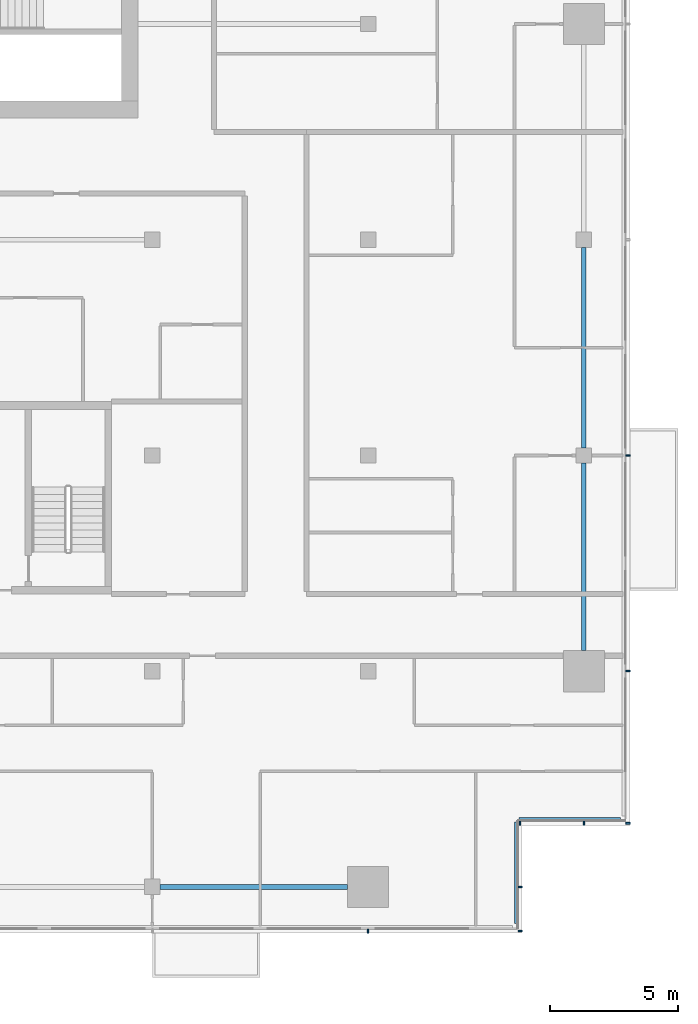
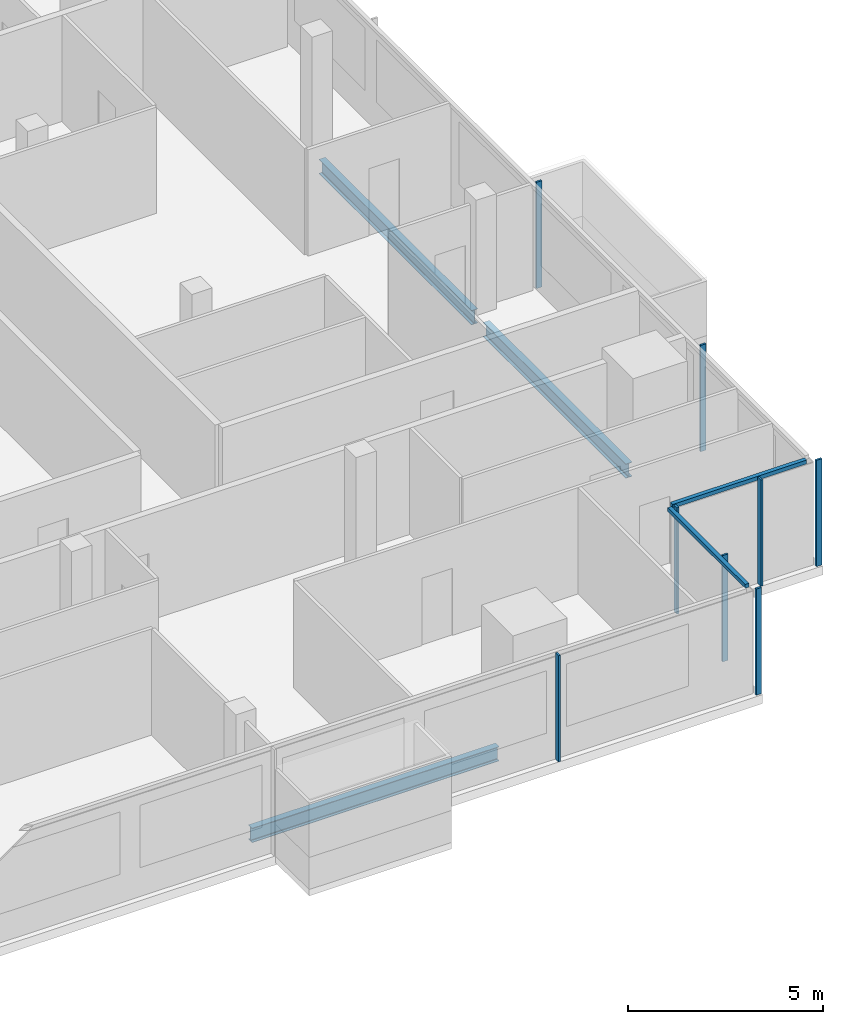
# One storey, part 11 of 29: 10 members, 3 beams, 4 elements without a shape of their own.
"""IFC4 building model written with IfcOpenShell, lengths in metres."""

from ifc_helpers import new_model, si_unit, direction, frame, origin, origin_2d, place, context, subcontext, project, spatial, rectangle, i_section, extrude, material, material_profile, profile_set, type_object, element, aggregate, save


model = new_model("IFC4")

# Units and contexts
model_context = context("Model", 3, precision=1e-05, world=origin(), true_north=direction((0.0, 1.0)))
body_context = subcontext(model_context, "Body", "Model", "MODEL_VIEW")
ifc_project = project(units=[si_unit("LENGTHUNIT", "METRE"), si_unit("AREAUNIT", "SQUARE_METRE"), si_unit("VOLUMEUNIT", "CUBIC_METRE"), si_unit("PLANEANGLEUNIT", "RADIAN"), si_unit("MASSUNIT", "GRAM", prefix="KILO")], contexts=[model_context])

# Site, building, storey
site_placement = place(None, origin())
site = spatial("IfcSite", under=ifc_project, at=site_placement, CompositionType="ELEMENT")
building_placement = place(site_placement, origin())
building = spatial("IfcBuilding", under=site, at=building_placement, Name="Saffron Gate Tower", CompositionType="ELEMENT")
storey_placement = place(building_placement, frame((0.0, 0.0, 227.10009765625)))
storey = spatial("IfcBuildingStorey", under=building, at=storey_placement, Name="L55", CompositionType="ELEMENT", Elevation=227.10009765625)

# Beams
ifc_material_1 = material(Name="Structural steel S355", Category="steel")
ifc_material_profile_1 = material_profile(ifc_material_1, i_section(OverallWidth=0.18994140625, OverallDepth=0.449951171875, WebThickness=0.009521484375, FlangeThickness=0.0146484375, FilletRadius=0.02099609375, at=origin_2d()))
ifc_profile_set_1 = profile_set([ifc_material_profile_1], Name="Structural steel S355")
beam_type = type_object("IfcBeamType", Name="B7 IPE 450", PredefinedType="SPANDREL", material=ifc_profile_set_1)
for number, where, z_axis, x_axis, name in (
    (1, (108.89990234375, 31.800048828125, -0.505126953125), (1.0, 0.0, 0.0), (0.0, 1.0, 0.0), "B7 SPANDREL BEAM"),
    (2, (125.39990234375, 41.0, -0.505126953125), (0.0, 1.0, 0.0), (-1.0, 0.0, 0.0), "B7 SPANDREL BEAM"),
):
    element("IfcBeam", number, at=place(storey_placement, frame(where, z_axis=z_axis, x_axis=x_axis)), inside=storey, type_object=beam_type, Name=name, PredefinedType="SPANDREL", context=body_context, shape_type="SweptSolid", body=[
        extrude(i_section(OverallWidth=0.18994140625, OverallDepth=0.449951171875, WebThickness=0.009521484375, FlangeThickness=0.0146484375, FilletRadius=0.02099609375, at=origin_2d()), origin(), (0.0, 0.0, 1.0), 7.300048828125),
    ])
beam_placement = place(storey_placement, frame((125.39990234375, 48.89990234375, -0.505126953125), z_axis=(0.0, 1.0, 0.0), x_axis=(-1.0, 0.0, 0.0)))
element("IfcBeam", 3, at=beam_placement, inside=storey, type_object=beam_type, Name="B7 SPANDREL BEAM", PredefinedType="SPANDREL", context=body_context, shape_type="SweptSolid", body=[
    extrude(i_section(OverallWidth=0.18994140625, OverallDepth=0.449951171875, WebThickness=0.009521484375, FlangeThickness=0.0146484375, FilletRadius=0.02099609375, at=origin_2d()), origin(), (0.0, 0.0, 1.0), 7.800048828125),
])

# Curtain wall, member
ifc_material_2 = material(Name="Aluminium, bronze anodised", Category="aluminium")
curtain_wall_type_1 = type_object("IfcCurtainWallType", Name="CWS1 curtain wall front facade", PredefinedType="NOTDEFINED", material=ifc_material_2)
curtain_wall_1_placement = place(storey_placement, origin())
curtain_wall_1 = element("IfcCurtainWall", 4, at=curtain_wall_1_placement, inside=storey, type_object=curtain_wall_type_1, Name="CWS1 run 1", PredefinedType="NOTDEFINED")
ifc_material_profile_2 = material_profile(ifc_material_2, rectangle(XDim=0.159912109375, YDim=0.06005859375, at=origin_2d()))
ifc_profile_set_2 = profile_set([ifc_material_profile_2], Name="Aluminium, bronze anodised")
member_type_1 = type_object("IfcMemberType", Name="CWS1 mullion 60x160", PredefinedType="MULLION", material=ifc_profile_set_2)
member_1_placement = place(storey_placement, frame((117.0, 30.080078125, 0.0), z_axis=(0.0, 0.0, 1.0), x_axis=(0.0, 1.0, 0.0)))
member_1 = element("IfcMember", 5, at=member_1_placement, type_object=member_type_1, Name="CWS1 mullion 9", PredefinedType="MULLION", context=body_context, shape_type="SweptSolid", body=[
    extrude(rectangle(XDim=0.159912109375, YDim=0.06005859375, at=origin_2d()), origin(), (0.0, 0.0, 1.0), 3.31982421875),
])
aggregate(curtain_wall_1, [member_1])

# Curtain wall, members
curtain_wall_type_2 = type_object("IfcCurtainWallType", Name="CWS2 curtain wall side facades", PredefinedType="NOTDEFINED", material=ifc_material_2)
curtain_wall_2_placement = place(storey_placement, origin())
curtain_wall_2 = element("IfcCurtainWall", 6, at=curtain_wall_2_placement, inside=storey, type_object=curtain_wall_type_2, Name="CWS2 run 4", PredefinedType="NOTDEFINED")
ifc_material_profile_3 = material_profile(ifc_material_2, rectangle(XDim=0.159912109375, YDim=0.06005859375, at=origin_2d()))
ifc_profile_set_3 = profile_set([ifc_material_profile_3], Name="Aluminium, bronze anodised")
member_type_2 = type_object("IfcMemberType", Name="CWS2 mullion 60x160", PredefinedType="MULLION", material=ifc_profile_set_3)
member_2_placement = place(storey_placement, frame((127.1201171875, 34.280029296875, 0.0), z_axis=(0.0, 0.0, 1.0), x_axis=(-1.0, 0.0, 0.0)))
member_2 = element("IfcMember", 7, at=member_2_placement, type_object=member_type_2, Name="CWS2 mullion 1", PredefinedType="MULLION", context=body_context, shape_type="SweptSolid", body=[
    extrude(rectangle(XDim=0.159912109375, YDim=0.06005859375, at=origin_2d()), origin(), (0.0, 0.0, 1.0), 3.31982421875),
])
member_3_placement = place(storey_placement, frame((127.1201171875, 40.199951171875, 0.0), z_axis=(0.0, 0.0, 1.0), x_axis=(-1.0, 0.0, 0.0)))
member_3 = element("IfcMember", 8, at=member_3_placement, type_object=member_type_2, Name="CWS2 mullion 2", PredefinedType="MULLION", context=body_context, shape_type="SweptSolid", body=[
    extrude(rectangle(XDim=0.159912109375, YDim=0.06005859375, at=origin_2d()), origin(), (0.0, 0.0, 1.0), 3.31982421875),
])
member_4_placement = place(storey_placement, frame((127.1201171875, 48.60009765625, 0.0), z_axis=(0.0, 0.0, 1.0), x_axis=(-1.0, 0.0, 0.0)))
member_4 = element("IfcMember", 9, at=member_4_placement, type_object=member_type_2, Name="CWS2 mullion 3", PredefinedType="MULLION", context=body_context, shape_type="SweptSolid", body=[
    extrude(rectangle(XDim=0.159912109375, YDim=0.06005859375, at=origin_2d()), origin(), (0.0, 0.0, 1.0), 3.31982421875),
])
aggregate(curtain_wall_2, [member_2, member_3, member_4])

# Curtain wall, member
curtain_wall_type_3 = type_object("IfcCurtainWallType", Name="CWS4 curtain wall corner returns", PredefinedType="NOTDEFINED", material=ifc_material_2)
curtain_wall_3_placement = place(storey_placement, origin())
curtain_wall_3 = element("IfcCurtainWall", 10, at=curtain_wall_3_placement, inside=storey, type_object=curtain_wall_type_3, Name="CWS4 run 2", PredefinedType="NOTDEFINED")
ifc_material_profile_4 = material_profile(ifc_material_2, rectangle(XDim=0.1201171875, YDim=0.1201171875, at=origin_2d()))
ifc_profile_set_4 = profile_set([ifc_material_profile_4], Name="Aluminium, bronze anodised")
member_type_3 = type_object("IfcMemberType", Name="CWS4 head transom", PredefinedType="USERDEFINED", material=ifc_profile_set_4)
member_5_placement = place(storey_placement, frame((122.751953125, 30.367919921875, 3.260009765625), z_axis=(0.0, 1.0, 0.0), x_axis=(-1.0, 0.0, 0.0)))
member_5 = element("IfcMember", 11, at=member_5_placement, type_object=member_type_3, Name="CWS4 head transom", ObjectType="TRANSOM", PredefinedType="USERDEFINED", context=body_context, shape_type="SweptSolid", body=[
    extrude(rectangle(XDim=0.1201171875, YDim=0.1201171875, at=origin_2d()), origin(), (0.0, 0.0, 1.0), 3.9599609375),
])

curtain_wall_4_placement = place(storey_placement, origin())
curtain_wall_4 = element("IfcCurtainWall", 12, at=curtain_wall_4_placement, inside=storey, type_object=curtain_wall_type_3, Name="CWS4 run 3", PredefinedType="NOTDEFINED")
member_6_placement = place(storey_placement, frame((122.8720703125, 34.447998046875, 3.260009765625), z_axis=(1.0, 0.0, 0.0), x_axis=(0.0, 1.0, 0.0)))
member_6 = element("IfcMember", 13, at=member_6_placement, type_object=member_type_3, Name="CWS4 head transom", ObjectType="TRANSOM", PredefinedType="USERDEFINED", context=body_context, shape_type="SweptSolid", body=[
    extrude(rectangle(XDim=0.1201171875, YDim=0.1201171875, at=origin_2d()), origin(), (0.0, 0.0, 1.0), 3.9599609375),
])

# Member
ifc_material_profile_5 = material_profile(ifc_material_2, rectangle(XDim=0.159912109375, YDim=0.06005859375, at=origin_2d()))
ifc_profile_set_5 = profile_set([ifc_material_profile_5], Name="Aluminium, bronze anodised")
member_type_4 = type_object("IfcMemberType", Name="CWS4 mullion 60x160", PredefinedType="MULLION", material=ifc_profile_set_5)
member_7_placement = place(storey_placement, frame((122.919921875, 30.080078125, 0.0), z_axis=(0.0, 0.0, 1.0), x_axis=(-1.0, 0.0, 0.0)))
member_7 = element("IfcMember", 14, at=member_7_placement, type_object=member_type_4, Name="CWS4 mullion 1", PredefinedType="MULLION", context=body_context, shape_type="SweptSolid", body=[
    extrude(rectangle(XDim=0.159912109375, YDim=0.06005859375, at=origin_2d()), origin(), (0.0, 0.0, 1.0), 3.31982421875),
])

member_8_placement = place(storey_placement, frame((122.919921875, 31.800048828125, 0.0), z_axis=(0.0, 0.0, 1.0), x_axis=(-1.0, 0.0, 0.0)))
member_8 = element("IfcMember", 15, at=member_8_placement, type_object=member_type_4, Name="CWS4 mullion 2", PredefinedType="MULLION", context=body_context, shape_type="SweptSolid", body=[
    extrude(rectangle(XDim=0.159912109375, YDim=0.06005859375, at=origin_2d()), origin(), (0.0, 0.0, 1.0), 3.31982421875),
])

aggregate(curtain_wall_3, [member_7, member_8, member_5])

member_9_placement = place(storey_placement, frame((122.919921875, 34.280029296875, 0.0), z_axis=(0.0, 0.0, 1.0), x_axis=(0.0, 1.0, 0.0)))
member_9 = element("IfcMember", 16, at=member_9_placement, type_object=member_type_4, Name="CWS4 mullion 1", PredefinedType="MULLION", context=body_context, shape_type="SweptSolid", body=[
    extrude(rectangle(XDim=0.159912109375, YDim=0.06005859375, at=origin_2d()), origin(), (0.0, 0.0, 1.0), 3.31982421875),
])

member_10_placement = place(storey_placement, frame((125.39990234375, 34.280029296875, 0.0), z_axis=(0.0, 0.0, 1.0), x_axis=(0.0, 1.0, 0.0)))
member_10 = element("IfcMember", 17, at=member_10_placement, type_object=member_type_4, Name="CWS4 mullion 2", PredefinedType="MULLION", context=body_context, shape_type="SweptSolid", body=[
    extrude(rectangle(XDim=0.159912109375, YDim=0.06005859375, at=origin_2d()), origin(), (0.0, 0.0, 1.0), 3.31982421875),
])

aggregate(curtain_wall_4, [member_9, member_10, member_6])

save(model, "model.ifc")
